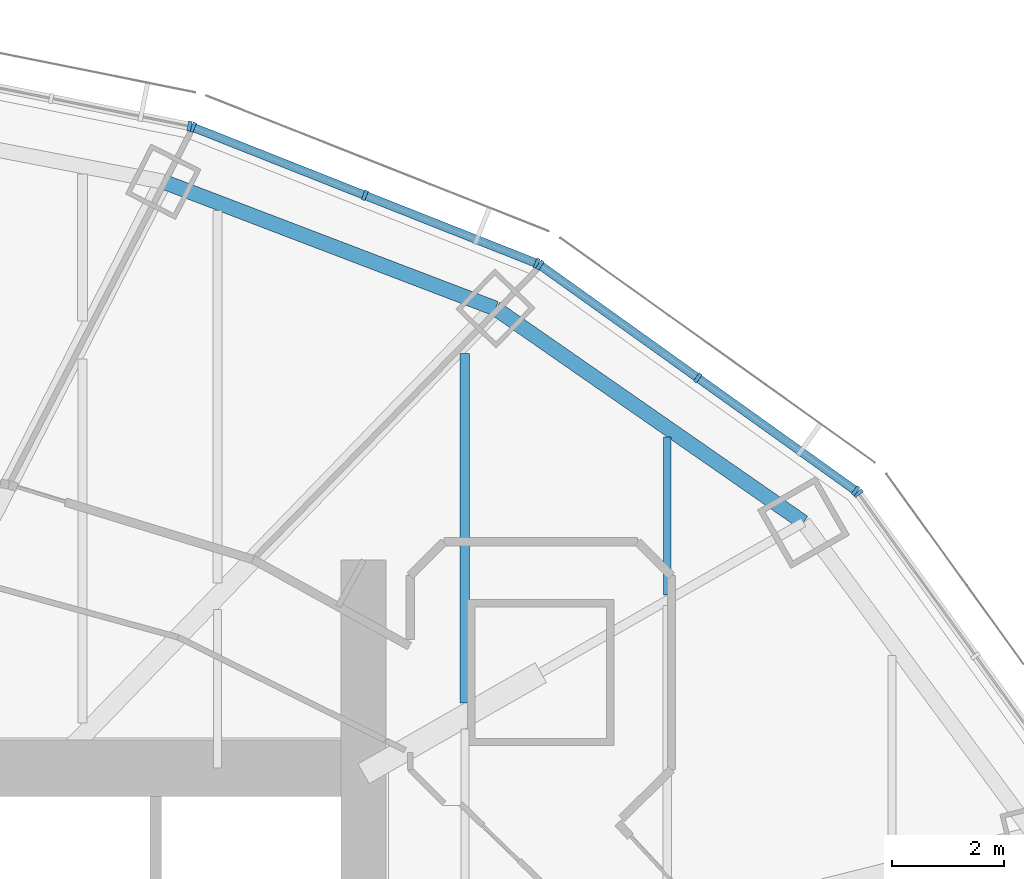
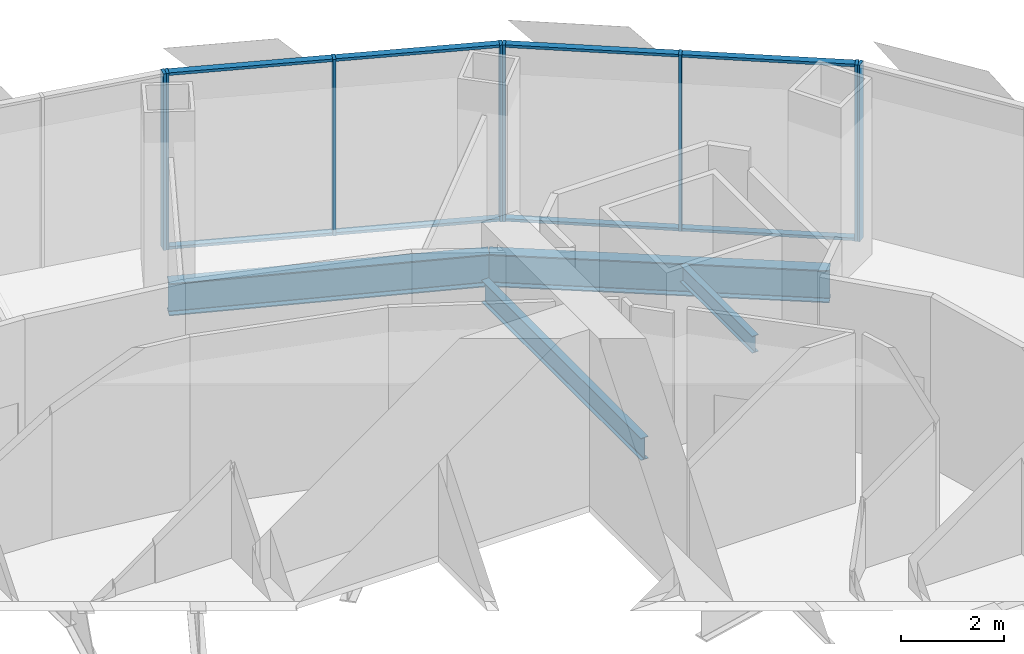
# One storey, part 9 of 19: 16 members, 4 beams, 4 elements without a shape of their own.
"""IFC4 building model written with IfcOpenShell, lengths in metres."""

from ifc_helpers import new_model, si_unit, direction, frame, origin, origin_2d, place, context, subcontext, project, spatial, rectangle, i_section, extrude, material, material_profile, profile_set, type_object, element, aggregate, save


model = new_model("IFC4")

# Units and contexts
model_context = context("Model", 3, precision=1e-05, world=origin(), true_north=direction((0.0, 1.0)))
body_context = subcontext(model_context, "Body", "Model", "MODEL_VIEW")
ifc_project = project(units=[si_unit("LENGTHUNIT", "METRE"), si_unit("AREAUNIT", "SQUARE_METRE"), si_unit("VOLUMEUNIT", "CUBIC_METRE"), si_unit("PLANEANGLEUNIT", "RADIAN"), si_unit("MASSUNIT", "GRAM", prefix="KILO")], contexts=[model_context])

# Site, building, storey
site_placement = place(None, origin())
site = spatial("IfcSite", under=ifc_project, at=site_placement, CompositionType="ELEMENT")
building_placement = place(site_placement, origin())
building = spatial("IfcBuilding", under=site, at=building_placement, Name="Lantaw Convention Tower", CompositionType="ELEMENT")
storey_placement = place(building_placement, frame((0.0, 0.0, 253.60009765625)))
storey = spatial("IfcBuildingStorey", under=building, at=storey_placement, Name="L59", CompositionType="ELEMENT", Elevation=253.60009765625)

# Beams
ifc_material_1 = material(Name="Steel ASTM A992", Category="steel")
ifc_material_profile_1 = material_profile(ifc_material_1, i_section(OverallWidth=0.2666015625, OverallDepth=0.76953125, WebThickness=0.015625, FlangeThickness=0.025390625, FilletRadius=0.0126953125, at=origin_2d()), Name="W30X132")
ifc_profile_set_1 = profile_set([ifc_material_profile_1], Name="Steel ASTM A992")
beam_type_1 = type_object("IfcBeamType", Name="Beam E W30X132", PredefinedType="SPANDREL", material=ifc_profile_set_1)
beam_1_placement = place(storey_placement, frame((20.423095703125, 11.67041015625, -0.534912109375), z_axis=(-0.82135329406, 0.570419815869, 0.0), x_axis=(-0.570419815869, -0.82135329406, 0.0)))
element("IfcBeam", 1, at=beam_1_placement, inside=storey, type_object=beam_type_1, Name="Edge beam 3", PredefinedType="SPANDREL", context=body_context, shape_type="SweptSolid", body=[
    extrude(i_section(OverallWidth=0.2666015625, OverallDepth=0.76953125, WebThickness=0.015625, FlangeThickness=0.025390625, FilletRadius=0.0126953125, at=origin_2d()), origin(), (0.0, 0.0, 1.0), 6.67041015625),
])
beam_2_placement = place(storey_placement, frame((14.9443359375, 15.475341796875, -0.534912109375), z_axis=(-0.934234988, 0.356658081637, 0.0), x_axis=(-0.356658081637, -0.934234988, 0.0)))
element("IfcBeam", 2, at=beam_2_placement, inside=storey, type_object=beam_type_1, Name="Edge beam 4", PredefinedType="SPANDREL", context=body_context, shape_type="SweptSolid", body=[
    extrude(i_section(OverallWidth=0.2666015625, OverallDepth=0.76953125, WebThickness=0.015625, FlangeThickness=0.025390625, FilletRadius=0.0126953125, at=origin_2d()), origin(), (0.0, 0.0, 1.0), 6.32568359375),
])
ifc_material_profile_2 = material_profile(ifc_material_1, i_section(OverallWidth=0.140380859375, OverallDepth=0.40380859375, WebThickness=0.007080078125, FlangeThickness=0.01123046875, FilletRadius=0.01025390625, at=origin_2d()), Name="W16X31")
ifc_profile_set_2 = profile_set([ifc_material_profile_2], Name="Steel ASTM A992")
beam_type_2 = type_object("IfcBeamType", Name="Beam J W16X31", PredefinedType="JOIST", material=ifc_profile_set_2)
beam_3_placement = place(storey_placement, frame((18.0, 10.380859375, -0.35205078125), z_axis=(0.0, 1.0, 0.0), x_axis=(-1.0, 0.0, 0.0)))
element("IfcBeam", 3, at=beam_3_placement, inside=storey, type_object=beam_type_2, Name="Floor joist", PredefinedType="JOIST", context=body_context, shape_type="SweptSolid", body=[
    extrude(i_section(OverallWidth=0.140380859375, OverallDepth=0.40380859375, WebThickness=0.007080078125, FlangeThickness=0.01123046875, FilletRadius=0.01025390625, at=origin_2d()), origin(), (0.0, 0.0, 1.0), 2.81005859375),
])
ifc_material_profile_3 = material_profile(ifc_material_1, i_section(OverallWidth=0.1650390625, OverallDepth=0.52587890625, WebThickness=0.0087890625, FlangeThickness=0.011474609375, FilletRadius=0.0126953125, at=origin_2d()), Name="W21X44")
ifc_profile_set_3 = profile_set([ifc_material_profile_3], Name="Steel ASTM A992")
beam_type_3 = type_object("IfcBeamType", Name="Beam J W21X44", PredefinedType="JOIST", material=ifc_profile_set_3)
beam_4_placement = place(storey_placement, frame((14.39990234375, 8.461181640625, -0.4130859375), z_axis=(0.0, 1.0, 0.0), x_axis=(-1.0, 0.0, 0.0)))
element("IfcBeam", 4, at=beam_4_placement, inside=storey, type_object=beam_type_3, Name="Floor joist", PredefinedType="JOIST", context=body_context, shape_type="SweptSolid", body=[
    extrude(i_section(OverallWidth=0.1650390625, OverallDepth=0.52587890625, WebThickness=0.0087890625, FlangeThickness=0.011474609375, FilletRadius=0.0126953125, at=origin_2d()), origin(), (0.0, 0.0, 1.0), 6.214599609375),
])

# Curtain wall, member
ifc_material_2 = material(Name="Aluminium framed curtain wall", Category="aluminium")
curtain_wall_type = type_object("IfcCurtainWallType", Name="Office curtain wall high rise, pale aluminium", PredefinedType="USERDEFINED", material=ifc_material_2)
curtain_wall_1_placement = place(storey_placement, origin())
curtain_wall_1 = element("IfcCurtainWall", 5, at=curtain_wall_1_placement, inside=storey, type_object=curtain_wall_type, Name="Office curtain wall high rise, pale aluminium L59", ObjectType="UNITISED CURTAIN WALL", PredefinedType="USERDEFINED")
ifc_material_3 = material(Name="Aluminium 6063-T6", Category="aluminium")
ifc_material_profile_4 = material_profile(ifc_material_3, rectangle(XDim=0.179931640625, YDim=0.06494140625, at=origin_2d()), Name="CW-O2 mullion 65x180")
ifc_profile_set_4 = profile_set([ifc_material_profile_4], Name="Aluminium 6063-T6")
member_type_1 = type_object("IfcMemberType", Name="CW-O2 mullion 65x180", PredefinedType="MULLION", material=ifc_profile_set_4)
member_1_placement = place(storey_placement, frame((21.397216796875, 12.189697265625, -0.150146484375), z_axis=(0.0, 0.0, 1.0), x_axis=(-0.810919559405, -0.585157643865, 0.0)))
member_1 = element("IfcMember", 6, at=member_1_placement, type_object=member_type_1, Name="CW-O2 mullion 3", PredefinedType="MULLION", context=body_context, shape_type="SweptSolid", body=[
    extrude(rectangle(XDim=0.179931640625, YDim=0.06494140625, at=origin_2d()), origin(), (0.0, 0.0, 1.0), 4.199951171875),
])
aggregate(curtain_wall_1, [member_1])

# Curtain wall, members
curtain_wall_2_placement = place(storey_placement, origin())
curtain_wall_2 = element("IfcCurtainWall", 7, at=curtain_wall_2_placement, inside=storey, type_object=curtain_wall_type, Name="Office curtain wall high rise, pale aluminium L59", ObjectType="UNITISED CURTAIN WALL", PredefinedType="USERDEFINED")
member_2_placement = place(storey_placement, frame((21.3515625, 12.23486328125, -0.150146484375), z_axis=(0.0, 0.0, 1.0), x_axis=(-0.581323487281, -0.813672540482, 0.0)))
member_2 = element("IfcMember", 8, at=member_2_placement, type_object=member_type_1, Name="CW-O2 mullion 1", PredefinedType="MULLION", context=body_context, shape_type="SweptSolid", body=[
    extrude(rectangle(XDim=0.179931640625, YDim=0.06494140625, at=origin_2d()), origin(), (0.0, 0.0, 1.0), 4.199951171875),
])
member_3_placement = place(storey_placement, frame((18.543212890625, 14.241455078125, -0.150146484375), z_axis=(0.0, 0.0, 1.0), x_axis=(-0.581323487281, -0.813672540482, 0.0)))
member_3 = element("IfcMember", 9, at=member_3_placement, type_object=member_type_1, Name="CW-O2 mullion 2", PredefinedType="MULLION", context=body_context, shape_type="SweptSolid", body=[
    extrude(rectangle(XDim=0.179931640625, YDim=0.06494140625, at=origin_2d()), origin(), (0.0, 0.0, 1.0), 4.199951171875),
])
member_4_placement = place(storey_placement, frame((15.73486328125, 16.247802734375, -0.150146484375), z_axis=(0.0, 0.0, 1.0), x_axis=(-0.581323487281, -0.813672540482, 0.0)))
member_4 = element("IfcMember", 10, at=member_4_placement, type_object=member_type_1, Name="CW-O2 mullion 3", PredefinedType="MULLION", context=body_context, shape_type="SweptSolid", body=[
    extrude(rectangle(XDim=0.179931640625, YDim=0.06494140625, at=origin_2d()), origin(), (0.0, 0.0, 1.0), 4.199951171875),
])

curtain_wall_3_placement = place(storey_placement, origin())
curtain_wall_3 = element("IfcCurtainWall", 11, at=curtain_wall_3_placement, inside=storey, type_object=curtain_wall_type, Name="Office curtain wall high rise, pale aluminium L59", ObjectType="UNITISED CURTAIN WALL", PredefinedType="USERDEFINED")
member_5_placement = place(storey_placement, frame((15.67822265625, 16.278564453125, -0.150146484375), z_axis=(0.0, 0.0, 1.0), x_axis=(-0.368162315252, -0.929761533743, 0.0)))
member_5 = element("IfcMember", 12, at=member_5_placement, type_object=member_type_1, Name="CW-O2 mullion 1", PredefinedType="MULLION", context=body_context, shape_type="SweptSolid", body=[
    extrude(rectangle(XDim=0.179931640625, YDim=0.06494140625, at=origin_2d()), origin(), (0.0, 0.0, 1.0), 4.199951171875),
])
member_6_placement = place(storey_placement, frame((12.621337890625, 17.4892578125, -0.150146484375), z_axis=(0.0, 0.0, 1.0), x_axis=(-0.368162315252, -0.929761533743, 0.0)))
member_6 = element("IfcMember", 13, at=member_6_placement, type_object=member_type_1, Name="CW-O2 mullion 2", PredefinedType="MULLION", context=body_context, shape_type="SweptSolid", body=[
    extrude(rectangle(XDim=0.179931640625, YDim=0.06494140625, at=origin_2d()), origin(), (0.0, 0.0, 1.0), 4.199951171875),
])
member_7_placement = place(storey_placement, frame((9.564208984375, 18.69970703125, -0.150146484375), z_axis=(0.0, 0.0, 1.0), x_axis=(-0.368162315252, -0.929761533743, 0.0)))
member_7 = element("IfcMember", 14, at=member_7_placement, type_object=member_type_1, Name="CW-O2 mullion 3", PredefinedType="MULLION", context=body_context, shape_type="SweptSolid", body=[
    extrude(rectangle(XDim=0.179931640625, YDim=0.06494140625, at=origin_2d()), origin(), (0.0, 0.0, 1.0), 4.199951171875),
])

# Curtain wall, member
curtain_wall_4_placement = place(storey_placement, origin())
curtain_wall_4 = element("IfcCurtainWall", 15, at=curtain_wall_4_placement, inside=storey, type_object=curtain_wall_type, Name="Office curtain wall high rise, pale aluminium L59", ObjectType="UNITISED CURTAIN WALL", PredefinedType="USERDEFINED")
member_8_placement = place(storey_placement, frame((9.502197265625, 18.718017578125, -0.150146484375), z_axis=(0.0, 0.0, 1.0), x_axis=(-0.197183095987, -0.980366679695, 0.0)))
member_8 = element("IfcMember", 16, at=member_8_placement, type_object=member_type_1, Name="CW-O2 mullion 1", PredefinedType="MULLION", context=body_context, shape_type="SweptSolid", body=[
    extrude(rectangle(XDim=0.179931640625, YDim=0.06494140625, at=origin_2d()), origin(), (0.0, 0.0, 1.0), 4.199951171875),
])
aggregate(curtain_wall_4, [member_8])

# Member
ifc_material_profile_5 = material_profile(ifc_material_3, rectangle(XDim=0.14990234375, YDim=0.06494140625, at=origin_2d()), Name="CW-O2 transom 65x150")
ifc_profile_set_5 = profile_set([ifc_material_profile_5], Name="Aluminium 6063-T6")
member_type_2 = type_object("IfcMemberType", Name="CW-O2 transom 65x150", PredefinedType="USERDEFINED", material=ifc_profile_set_5)
member_9_placement = place(storey_placement, frame((21.3251953125, 12.25390625, -0.11767578125), z_axis=(-0.813679882592, 0.581313210468, 0.0), x_axis=(-0.581313210468, -0.813679882592, 0.0)))
member_9 = element("IfcMember", 17, at=member_9_placement, type_object=member_type_2, Name="CW-O2 transom 1.1", ObjectType="TRANSOM", PredefinedType="USERDEFINED", context=body_context, shape_type="SweptSolid", body=[
    extrude(rectangle(XDim=0.14990234375, YDim=0.06494140625, at=origin_2d()), origin(), (0.0, 0.0, 1.0), 3.38623046875),
])

member_10_placement = place(storey_placement, frame((21.3251953125, 12.25390625, 4.017333984375), z_axis=(-0.813679882592, 0.581313210468, 0.0), x_axis=(-0.581313210468, -0.813679882592, 0.0)))
member_10 = element("IfcMember", 18, at=member_10_placement, type_object=member_type_2, Name="CW-O2 transom 1.2", ObjectType="TRANSOM", PredefinedType="USERDEFINED", context=body_context, shape_type="SweptSolid", body=[
    extrude(rectangle(XDim=0.14990234375, YDim=0.06494140625, at=origin_2d()), origin(), (0.0, 0.0, 1.0), 3.38623046875),
])

member_11_placement = place(storey_placement, frame((18.516845703125, 14.26025390625, -0.11767578125), z_axis=(-0.813645780821, 0.581360940683, 0.0), x_axis=(-0.581360940683, -0.813645780821, 0.0)))
member_11 = element("IfcMember", 19, at=member_11_placement, type_object=member_type_2, Name="CW-O2 transom 2.1", ObjectType="TRANSOM", PredefinedType="USERDEFINED", context=body_context, shape_type="SweptSolid", body=[
    extrude(rectangle(XDim=0.14990234375, YDim=0.06494140625, at=origin_2d()), origin(), (0.0, 0.0, 1.0), 3.386474609375),
])

member_12_placement = place(storey_placement, frame((18.516845703125, 14.26025390625, 4.017333984375), z_axis=(-0.813645780821, 0.581360940683, 0.0), x_axis=(-0.581360940683, -0.813645780821, 0.0)))
member_12 = element("IfcMember", 20, at=member_12_placement, type_object=member_type_2, Name="CW-O2 transom 2.2", ObjectType="TRANSOM", PredefinedType="USERDEFINED", context=body_context, shape_type="SweptSolid", body=[
    extrude(rectangle(XDim=0.14990234375, YDim=0.06494140625, at=origin_2d()), origin(), (0.0, 0.0, 1.0), 3.386474609375),
])

aggregate(curtain_wall_2, [member_2, member_3, member_4, member_9, member_10, member_11, member_12])

member_13_placement = place(storey_placement, frame((15.648193359375, 16.29052734375, -0.11767578125), z_axis=(-0.929740712354, 0.368214893495, 0.0), x_axis=(-0.368214893495, -0.929740712354, 0.0)))
member_13 = element("IfcMember", 21, at=member_13_placement, type_object=member_type_2, Name="CW-O2 transom 1.1", ObjectType="TRANSOM", PredefinedType="USERDEFINED", context=body_context, shape_type="SweptSolid", body=[
    extrude(rectangle(XDim=0.14990234375, YDim=0.06494140625, at=origin_2d()), origin(), (0.0, 0.0, 1.0), 3.22314453125),
])

member_14_placement = place(storey_placement, frame((15.648193359375, 16.29052734375, 4.017333984375), z_axis=(-0.929740712354, 0.368214893495, 0.0), x_axis=(-0.368214893495, -0.929740712354, 0.0)))
member_14 = element("IfcMember", 22, at=member_14_placement, type_object=member_type_2, Name="CW-O2 transom 1.2", ObjectType="TRANSOM", PredefinedType="USERDEFINED", context=body_context, shape_type="SweptSolid", body=[
    extrude(rectangle(XDim=0.14990234375, YDim=0.06494140625, at=origin_2d()), origin(), (0.0, 0.0, 1.0), 3.22314453125),
])

member_15_placement = place(storey_placement, frame((12.591064453125, 17.501220703125, -0.11767578125), z_axis=(-0.929766642946, 0.368149412149, 0.0), x_axis=(-0.368149412149, -0.929766642946, 0.0)))
member_15 = element("IfcMember", 23, at=member_15_placement, type_object=member_type_2, Name="CW-O2 transom 2.1", ObjectType="TRANSOM", PredefinedType="USERDEFINED", context=body_context, shape_type="SweptSolid", body=[
    extrude(rectangle(XDim=0.14990234375, YDim=0.06494140625, at=origin_2d()), origin(), (0.0, 0.0, 1.0), 3.222900390625),
])

member_16_placement = place(storey_placement, frame((12.591064453125, 17.501220703125, 4.017333984375), z_axis=(-0.929766642946, 0.368149412149, 0.0), x_axis=(-0.368149412149, -0.929766642946, 0.0)))
member_16 = element("IfcMember", 24, at=member_16_placement, type_object=member_type_2, Name="CW-O2 transom 2.2", ObjectType="TRANSOM", PredefinedType="USERDEFINED", context=body_context, shape_type="SweptSolid", body=[
    extrude(rectangle(XDim=0.14990234375, YDim=0.06494140625, at=origin_2d()), origin(), (0.0, 0.0, 1.0), 3.222900390625),
])

aggregate(curtain_wall_3, [member_5, member_6, member_7, member_13, member_14, member_15, member_16])

save(model, "model.ifc")
